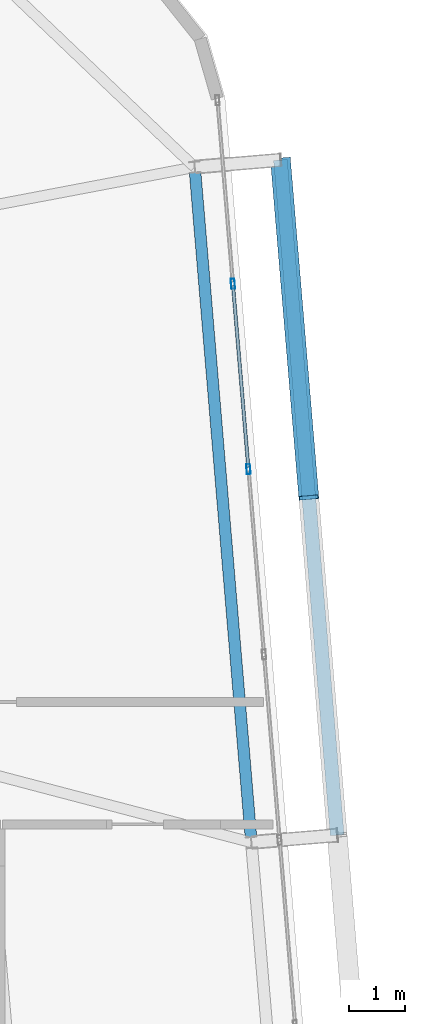
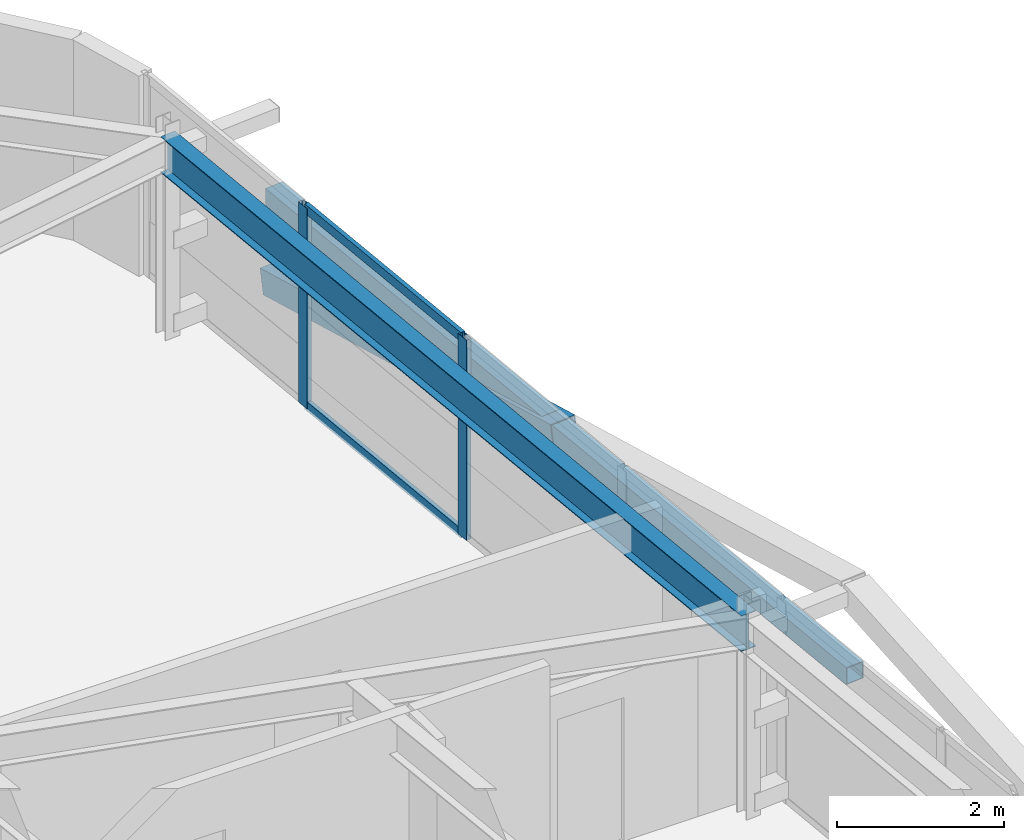
# One storey, part 26 of 46: 6 members, 1 beam, 1 element without a shape of its own.
"""IFC4 building model written with IfcOpenShell, lengths in metres."""

from ifc_helpers import new_model, si_unit, direction, frame, origin, origin_2d, place, context, subcontext, project, spatial, hollow_rectangle, i_section, extrude, source, transform, mapped, material, layer, layer_set, material_profile, profile_set, type_object, element, aggregate, save


model = new_model("IFC4")

# Units and contexts
model_context = context("Model", 3, precision=1e-05, world=origin(), true_north=direction((0.0, 1.0)))
body_context = subcontext(model_context, "Body", "Model", "MODEL_VIEW")
ifc_project = project(units=[si_unit("LENGTHUNIT", "METRE"), si_unit("AREAUNIT", "SQUARE_METRE"), si_unit("VOLUMEUNIT", "CUBIC_METRE"), si_unit("PLANEANGLEUNIT", "RADIAN"), si_unit("MASSUNIT", "GRAM", prefix="KILO")], contexts=[model_context])

# Site, building, storey
site_placement = place(None, origin())
site = spatial("IfcSite", under=ifc_project, at=site_placement, CompositionType="ELEMENT")
building_placement = place(site_placement, origin())
building = spatial("IfcBuilding", under=site, at=building_placement, Name="Taldren Reach Tower", CompositionType="ELEMENT")
storey_placement = place(building_placement, frame((0.0, 0.0, 185.14990234375)))
storey = spatial("IfcBuildingStorey", under=building, at=storey_placement, Name="L56", CompositionType="ELEMENT", Elevation=185.14990234375)

# Beam
ifc_material_1 = material(Name="Steel Gr 350 (350PLUS)", Category="steel")
ifc_material_profile_1 = material_profile(ifc_material_1, i_section(OverallWidth=0.208984375, OverallDepth=0.528076171875, WebThickness=0.009521484375, FlangeThickness=0.01318359375, at=origin_2d()), Name="530UB82.0")
ifc_profile_set_1 = profile_set([ifc_material_profile_1], Name="Steel Gr 350 (350PLUS)")
beam_type = type_object("IfcBeamType", Name="SP-UB530B", PredefinedType="SPANDREL", material=ifc_profile_set_1)
shared_shape_1 = source(origin(), body_context, "Body", "SweptSolid", [
    extrude(i_section(OverallWidth=0.208984375, OverallDepth=0.528076171875, WebThickness=0.009521484375, FlangeThickness=0.01318359375, at=origin_2d()), origin(), (0.0, 0.0, 1.0), 12.199951171875),
])
beam_placement = place(storey_placement, frame((60.6171875, 21.474853515625, 2.666015625), z_axis=(-0.083668166953, 0.99649367175, 0.0), x_axis=(-0.99649367175, -0.083668166953, 0.0)))
element("IfcBeam", 1, at=beam_placement, inside=storey, type_object=beam_type, Name="Perimeter spandrel B4 E2-E3 L56", PredefinedType="SPANDREL", context=body_context, shape_type="MappedRepresentation", body=[
    mapped(shared_shape_1, transform((0.0, 0.0, 0.0), scale=1.0)),
])

# Members
ifc_material_2 = material(Name="Steel Gr 350 (C350L0)", Category="steel")
ifc_material_profile_2 = material_profile(ifc_material_2, hollow_rectangle(XDim=0.25, YDim=0.25, WallThickness=0.010009765625, at=origin_2d()), Name="250x250x10.0SHS")
ifc_profile_set_2 = profile_set([ifc_material_profile_2], Name="Steel Gr 350 (C350L0)")
member_type_1 = type_object("IfcMemberType", Name="MB-POST250", PredefinedType="POST", material=ifc_profile_set_2)
shared_shape_2 = source(origin(), body_context, "Body", "SweptSolid", [
    extrude(hollow_rectangle(XDim=0.25, YDim=0.25, WallThickness=0.010009765625, at=origin_2d()), origin(), (0.0, 0.0, 1.0), 12.199951171875),
])
member_1_placement = place(storey_placement, frame((62.161865234375, 21.6044921875, 1.43505859375), z_axis=(-0.083688038336, 0.996492003099, 0.0), x_axis=(-0.996492003099, -0.083688038336, 0.0)))
element("IfcMember", 2, at=member_1_placement, inside=storey, type_object=member_type_1, Name="Exoskeleton mid-height ring chord B4-E2 L56", PredefinedType="POST", context=body_context, shape_type="MappedRepresentation", body=[
    mapped(shared_shape_2, transform((0.0, 0.0, 0.0), scale=1.0)),
])
ifc_material_3 = material(Name="Steel Gr 450 (C450L0)", Category="steel")
ifc_material_profile_3 = material_profile(ifc_material_3, hollow_rectangle(XDim=0.360107421875, YDim=0.360107421875, WallThickness=0.0126953125, at=origin_2d()), Name="360x360x12.7SHS")
ifc_profile_set_3 = profile_set([ifc_material_profile_3], Name="Steel Gr 450 (C450L0)")
member_type_2 = type_object("IfcMemberType", Name="MB-EXO356", PredefinedType="BRACE", material=ifc_profile_set_3)
shared_shape_3 = source(origin(), body_context, "Body", "SweptSolid", [
    extrude(hollow_rectangle(XDim=0.360107421875, YDim=0.360107421875, WallThickness=0.0126953125, at=origin_2d()), origin(), (0.0, 0.0, 1.0), 6.2197265625),
])
member_2_placement = place(storey_placement, frame((61.140869140625, 33.76171875, 0.22021484375), z_axis=(0.082076194186, -0.977299417909, 0.19531857593), x_axis=(0.996492003099, 0.083688038336, 0.0)))
element("IfcMember", 3, at=member_2_placement, inside=storey, type_object=member_type_2, Name="Exoskeleton Diagrid Brace B4-E2 L56", PredefinedType="BRACE", context=body_context, shape_type="MappedRepresentation", body=[
    mapped(shared_shape_3, transform((0.0, 0.0, 0.0), scale=1.0)),
])

# Curtain wall, members
ifc_material_4 = material(Name="Aluminium and Low-E Glass Unitised System", Category="aluminium")
ifc_layer = layer(ifc_material_4, 0.159912109375)
ifc_layer_set = layer_set([ifc_layer], Name="Aluminium and Low-E Glass Unitised System")
curtain_wall_type = type_object("IfcCurtainWallType", Name="CW-SYS-5", PredefinedType="NOTDEFINED", material=ifc_layer_set)
curtain_wall_placement = place(storey_placement, origin())
curtain_wall = element("IfcCurtainWall", 4, at=curtain_wall_placement, inside=storey, type_object=curtain_wall_type, Name="Unitised curtain wall CW-L56-E", PredefinedType="NOTDEFINED")
ifc_material_5 = material(Name="Anodised Aluminium 6063-T6", Category="aluminium")
ifc_material_profile_4 = material_profile(ifc_material_5, hollow_rectangle(XDim=0.070068359375, YDim=0.179931640625, WallThickness=0.00390625, at=origin_2d()), Name="ALU-180x70x4RHS")
ifc_profile_set_4 = profile_set([ifc_material_profile_4], Name="Anodised Aluminium 6063-T6")
member_type_3 = type_object("IfcMemberType", Name="CW-MUL-180", PredefinedType="MULLION", material=ifc_profile_set_4)
shared_shape_4 = source(origin(), body_context, "Body", "SweptSolid", [
    extrude(hollow_rectangle(XDim=0.070068359375, YDim=0.179931640625, WallThickness=0.00390625, at=origin_2d()), origin(), (0.0, 0.0, 1.0), 2.93017578125),
])
member_3_placement = place(storey_placement, frame((60.564697265625, 28.194091796875, 0.0), z_axis=(0.0, 0.0, 1.0), x_axis=(-0.996492847789, -0.083677979808, 0.0)))
member_3 = element("IfcMember", 5, at=member_3_placement, type_object=member_type_3, Name="CW-5 mullion 7", PredefinedType="MULLION", context=body_context, shape_type="MappedRepresentation", body=[
    mapped(shared_shape_4, transform((0.0, 0.0, 0.0), scale=1.0)),
])
member_4_placement = place(storey_placement, frame((60.284423828125, 31.5322265625, 0.0), z_axis=(0.0, 0.0, 1.0), x_axis=(-0.996492847789, -0.083677979808, 0.0)))
member_4 = element("IfcMember", 6, at=member_4_placement, type_object=member_type_3, Name="CW-5 mullion 8", PredefinedType="MULLION", context=body_context, shape_type="MappedRepresentation", body=[
    mapped(shared_shape_4, transform((0.0, 0.0, 0.0), scale=1.0)),
])
ifc_material_profile_5 = material_profile(ifc_material_5, hollow_rectangle(XDim=0.06005859375, YDim=0.135009765625, WallThickness=0.00341796875, at=origin_2d()), Name="ALU-135x60x3.5RHS")
ifc_profile_set_5 = profile_set([ifc_material_profile_5], Name="Anodised Aluminium 6063-T6")
member_type_4 = type_object("IfcMemberType", Name="CW-TRN-150", PredefinedType="USERDEFINED", material=ifc_profile_set_5)
shared_shape_5 = source(origin(), body_context, "Body", "SweptSolid", [
    extrude(hollow_rectangle(XDim=0.06005859375, YDim=0.135009765625, WallThickness=0.00341796875, at=origin_2d()), origin(), (0.0, 0.0, 1.0), 3.280029296875),
])
member_5_placement = place(storey_placement, frame((60.561767578125, 28.228759765625, 0.030029296875), z_axis=(-0.083661452101, 0.996494235524, 0.0), x_axis=(-0.996494235524, -0.083661452101, 0.0)))
member_5 = element("IfcMember", 7, at=member_5_placement, type_object=member_type_4, Name="CW-5 transom 7.1", ObjectType="TRANSOM", PredefinedType="USERDEFINED", context=body_context, shape_type="MappedRepresentation", body=[
    mapped(shared_shape_5, transform((0.0, 0.0, 0.0), scale=1.0)),
])
member_6_placement = place(storey_placement, frame((60.561767578125, 28.228759765625, 2.900146484375), z_axis=(-0.083661452101, 0.996494235524, 0.0), x_axis=(-0.996494235524, -0.083661452101, 0.0)))
member_6 = element("IfcMember", 8, at=member_6_placement, type_object=member_type_4, Name="CW-5 transom 7.2", ObjectType="TRANSOM", PredefinedType="USERDEFINED", context=body_context, shape_type="MappedRepresentation", body=[
    mapped(shared_shape_5, transform((0.0, 0.0, 0.0), scale=1.0)),
])
aggregate(curtain_wall, [member_3, member_4, member_5, member_6])

save(model, "model.ifc")
